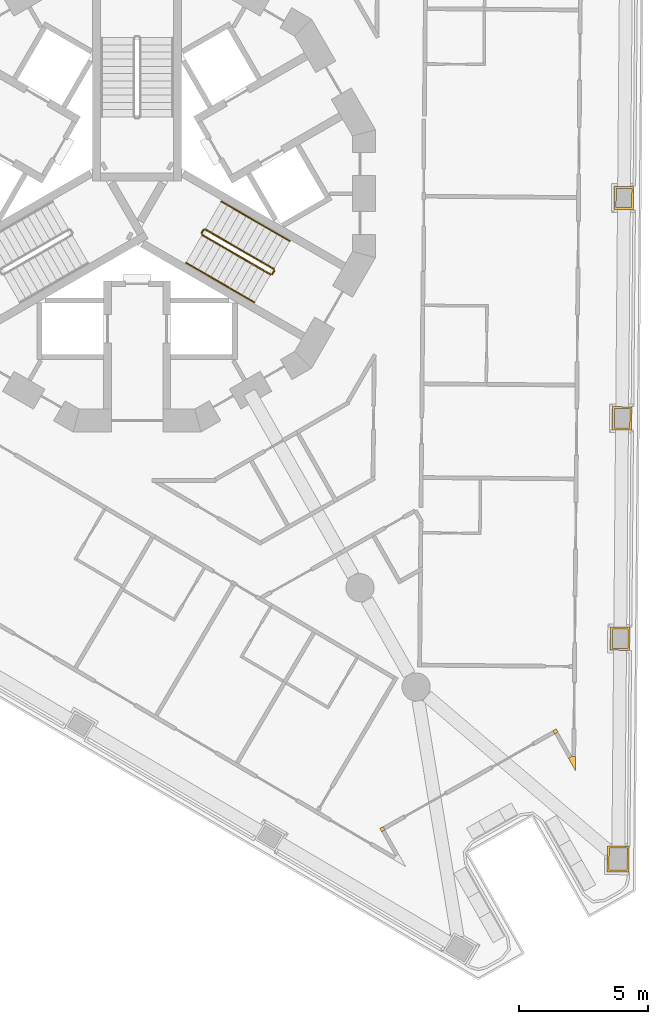
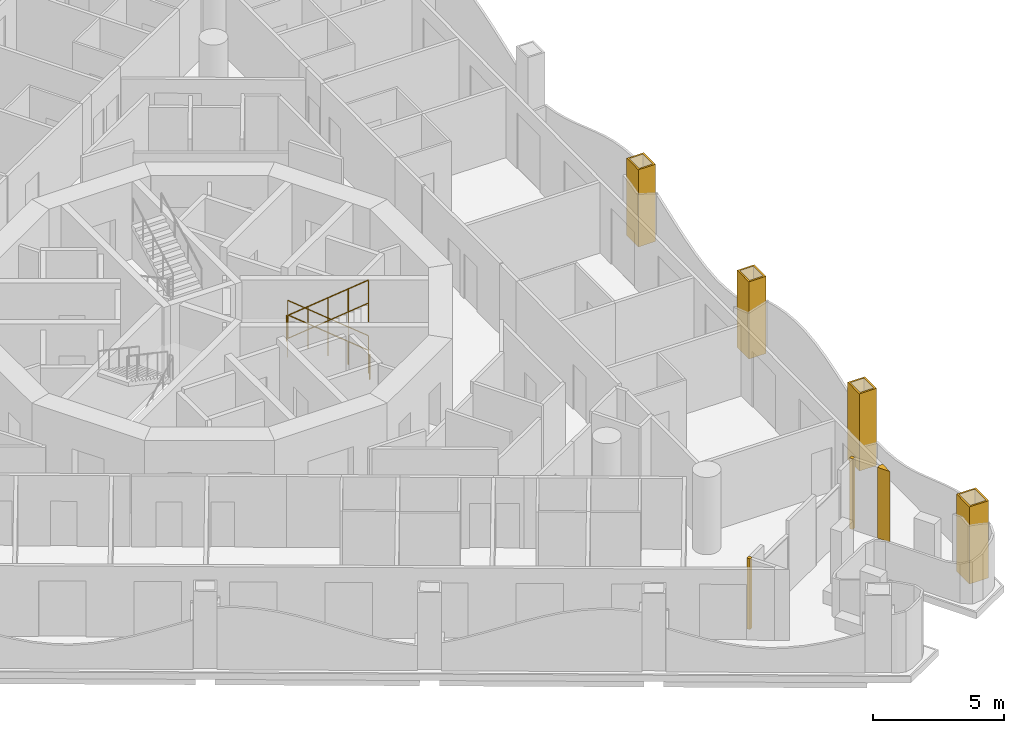
# One storey, part 15 of 18: 8 railings, 7 coverings.
"""IFC4 building model written with IfcOpenShell, lengths in metres."""

from ifc_helpers import new_model, si_unit, direction, frame, origin, origin_2d, place, context, subcontext, project, spatial, polyline, circle, outline, extrude, material, layer, layer_set, type_object, element, save


model = new_model("IFC4")

# Units and contexts
model_context = context("Model", 3, precision=1e-05, world=origin(), true_north=direction((0.0, 1.0)))
body_context = subcontext(model_context, "Body", "Model", "MODEL_VIEW")
ifc_project = project(units=[si_unit("LENGTHUNIT", "METRE"), si_unit("AREAUNIT", "SQUARE_METRE"), si_unit("VOLUMEUNIT", "CUBIC_METRE"), si_unit("PLANEANGLEUNIT", "RADIAN"), si_unit("MASSUNIT", "GRAM", prefix="KILO")], contexts=[model_context])

# Site, building, storey
site_placement = place(None, origin())
site = spatial("IfcSite", under=ifc_project, at=site_placement, CompositionType="ELEMENT")
building_placement = place(site_placement, origin())
building = spatial("IfcBuilding", under=site, at=building_placement, Name="Trine Commons Tower", CompositionType="ELEMENT")
storey_placement = place(building_placement, frame((0.0, 0.0, 175.5)))
storey = spatial("IfcBuildingStorey", under=building, at=storey_placement, Name="L45", CompositionType="ELEMENT", Elevation=175.5)

# Coverings
ifc_material_1 = material(Name="Aluminium-framed insulated wall panel", Category="aluminium")
ifc_layer_1 = layer(ifc_material_1, 0.14990234375)
ifc_layer_set_1 = layer_set([ifc_layer_1], Name="Aluminium-framed insulated wall panel")
covering_type_1 = type_object("IfcCoveringType", Name="Glazing corner post, aluminium", PredefinedType="CLADDING", material=ifc_layer_set_1)
covering_1_placement = place(storey_placement, origin())
element("IfcCovering", 1, at=covering_1_placement, inside=storey, type_object=covering_type_1, Name="Glazing corner post 5-09", PredefinedType="CLADDING", context=body_context, shape_type="SweptSolid", body=[
    extrude(outline(polyline([(96.776611328125, 40.5439453125), (97.05224609375, 40.056640625), (97.05712890625, 40.616455078125), (96.9072265625, 40.617919921875), (96.9072265625, 40.617919921875), (96.776611328125, 40.5439453125)])), origin(), (0.0, 0.0, 1.0), 3.300048828125),
])
covering_2_placement = place(storey_placement, origin())
element("IfcCovering", 2, at=covering_2_placement, inside=storey, type_object=covering_type_1, Name="Glazing corner post 5-10", PredefinedType="CLADDING", context=body_context, shape_type="SweptSolid", body=[
    extrude(outline(polyline([(96.168212890625, 41.619384765625), (96.241943359375, 41.489013671875), (96.37255859375, 41.562744140625), (96.298583984375, 41.693359375), (96.168212890625, 41.619384765625)])), origin(), (0.0, 0.0, 1.0), 3.300048828125),
])
covering_3_placement = place(storey_placement, origin())
element("IfcCovering", 3, at=covering_3_placement, inside=storey, type_object=covering_type_1, Name="Glazing corner post 5-11", PredefinedType="CLADDING", context=body_context, shape_type="SweptSolid", body=[
    extrude(outline(polyline([(89.51416015625, 37.6826171875), (89.644775390625, 37.75634765625), (89.57080078125, 37.886962890625), (89.440185546875, 37.81298828125), (89.51416015625, 37.6826171875)])), origin(), (0.0, 0.0, 1.0), 3.300048828125),
])
ifc_material_2 = material(Name="Limestone, honed", Category="masonry")
ifc_layer_2 = layer(ifc_material_2, 0.074951171875)
ifc_layer_set_2 = layer_set([ifc_layer_2], Name="Limestone, honed")
covering_type_2 = type_object("IfcCoveringType", Name="Limestone column cladding 75", PredefinedType="CLADDING", material=ifc_layer_set_2)
covering_4_placement = place(storey_placement, origin())
element("IfcCovering", 4, at=covering_4_placement, inside=storey, type_object=covering_type_2, Name="Limestone pier cladding 5-18", PredefinedType="CLADDING", context=body_context, shape_type="SweptSolid", body=[
    extrude(outline(polyline([(99.315673828125, 62.781494140625), (98.565673828125, 62.7880859375), (98.557861328125, 61.887939453125), (99.307861328125, 61.88134765625), (99.315673828125, 62.781494140625)]), holes=[polyline([(99.239990234375, 62.70703125), (98.64013671875, 62.71240234375), (98.633544921875, 61.96240234375), (99.2333984375, 61.95703125), (99.239990234375, 62.70703125)])]), origin(), (0.0, 0.0, 1.0), 3.60009765625),
])
covering_5_placement = place(storey_placement, origin())
element("IfcCovering", 5, at=covering_5_placement, inside=storey, type_object=covering_type_2, Name="Limestone pier cladding 5-19", PredefinedType="CLADDING", context=body_context, shape_type="SweptSolid", body=[
    extrude(outline(polyline([(99.240966796875, 54.211181640625), (98.490966796875, 54.2177734375), (98.483154296875, 53.31787109375), (99.233154296875, 53.311279296875), (99.240966796875, 54.211181640625)]), holes=[polyline([(99.165283203125, 54.136962890625), (98.565185546875, 54.14208984375), (98.55859375, 53.39208984375), (99.15869140625, 53.386962890625), (99.165283203125, 54.136962890625)])]), origin(), (0.0, 0.0, 1.0), 3.60009765625),
])
covering_6_placement = place(storey_placement, origin())
element("IfcCovering", 6, at=covering_6_placement, inside=storey, type_object=covering_type_2, Name="Limestone pier cladding 5-20", PredefinedType="CLADDING", context=body_context, shape_type="SweptSolid", body=[
    extrude(outline(polyline([(99.166015625, 45.640869140625), (98.416015625, 45.6474609375), (98.408203125, 44.74755859375), (99.158203125, 44.740966796875), (99.166015625, 45.640869140625)]), holes=[polyline([(99.090576171875, 45.566650390625), (98.490478515625, 45.57177734375), (98.48388671875, 44.82177734375), (99.083984375, 44.816650390625), (99.090576171875, 45.566650390625)])]), origin(), (0.0, 0.0, 1.0), 3.60009765625),
])
covering_7_placement = place(storey_placement, origin())
element("IfcCovering", 7, at=covering_7_placement, inside=storey, type_object=covering_type_2, Name="Limestone pier cladding 5-21", PredefinedType="CLADDING", context=body_context, shape_type="SweptSolid", body=[
    extrude(outline(polyline([(99.1416015625, 37.1201171875), (98.291748046875, 37.127685546875), (98.283203125, 36.127685546875), (99.133056640625, 36.1201171875), (99.1416015625, 37.1201171875)]), holes=[polyline([(99.066162109375, 37.0458984375), (98.3662109375, 37.052001953125), (98.358642578125, 36.201904296875), (99.05859375, 36.19580078125), (99.066162109375, 37.0458984375)])]), origin(), (0.0, 0.0, 1.0), 3.60009765625),
])

# Railings
ifc_material_3 = material(Name="Stainless steel balustrade", Category="steel")
railing_type_1 = type_object("IfcRailingType", Name="Stair guard, steel balustrade 1100", PredefinedType="GUARDRAIL", material=ifc_material_3)
railing_1_placement = place(storey_placement, frame((85.31982421875, 59.572998046875, 0.14990234375)))
element("IfcRailing", 8, at=railing_1_placement, inside=storey, type_object=railing_type_1, Name="L45 ST3B stair guard 1", PredefinedType="GUARDRAIL", context=body_context, shape_type="SweptSolid", body=[
    extrude(circle(Radius=0.02392578125, at=origin_2d()), frame((0.0, 0.0, 1.076171875), z_axis=(-0.763379768245, 0.440728498818, 0.472239049384), x_axis=(-0.499992328818, -0.866029832698, 0.0)), (0.0, 0.0, 1.0), 3.494384765625),
    extrude(circle(Radius=0.02099609375, at=origin_2d()), origin(), (0.0, 0.0, 1.0), 1.052001953125),
    extrude(circle(Radius=0.02099609375, at=origin_2d()), frame((-0.6669921875, 0.385009765625, 0.41259765625)), (0.0, 0.0, 1.0), 1.052001953125),
    extrude(circle(Radius=0.02099609375, at=origin_2d()), frame((-1.333740234375, 0.77001953125, 0.8251953125)), (0.0, 0.0, 1.0), 1.052001953125),
    extrude(circle(Radius=0.02099609375, at=origin_2d()), frame((-2.00048828125, 1.155029296875, 1.237548828125)), (0.0, 0.0, 1.0), 1.052001953125),
    extrude(circle(Radius=0.02099609375, at=origin_2d()), frame((-2.66748046875, 1.5400390625, 1.650146484375)), (0.0, 0.0, 1.0), 1.052001953125),
])
railing_2_placement = place(storey_placement, frame((82.584228515625, 61.0947265625, 1.800048828125)))
element("IfcRailing", 9, at=railing_2_placement, inside=storey, type_object=railing_type_1, Name="L45 ST3B stair guard 2", PredefinedType="GUARDRAIL", context=body_context, shape_type="SweptSolid", body=[
    extrude(circle(Radius=0.02392578125, at=origin_2d()), frame((0.0, 0.0, 1.076171875), z_axis=(-0.501036270542, -0.865426285481, 0.0), x_axis=(0.865426285481, -0.501036270542, 0.0)), (0.0, 0.0, 1.0), 0.150146484375),
    extrude(circle(Radius=0.02099609375, at=origin_2d()), origin(), (0.0, 0.0, 1.0), 1.052001953125),
    extrude(circle(Radius=0.02099609375, at=origin_2d()), frame((-0.0751953125, -0.1298828125, 0.0)), (0.0, 0.0, 1.0), 1.052001953125),
])
railing_3_placement = place(storey_placement, frame((82.52734375, 60.896484375, 1.949951171875)))
element("IfcRailing", 10, at=railing_3_placement, inside=storey, type_object=railing_type_1, Name="L45 ST3B stair guard 3", PredefinedType="GUARDRAIL", context=body_context, shape_type="SweptSolid", body=[
    extrude(circle(Radius=0.02392578125, at=origin_2d()), frame((0.0, 0.0, 1.076171875), z_axis=(0.763379768245, -0.440728498818, 0.472239049384), x_axis=(0.499992328818, 0.866029832698, 0.0)), (0.0, 0.0, 1.0), 3.494384765625),
    extrude(circle(Radius=0.02099609375, at=origin_2d()), origin(), (0.0, 0.0, 1.0), 1.052001953125),
    extrude(circle(Radius=0.02099609375, at=origin_2d()), frame((0.6669921875, -0.385009765625, 0.41259765625)), (0.0, 0.0, 1.0), 1.052001953125),
    extrude(circle(Radius=0.02099609375, at=origin_2d()), frame((1.333740234375, -0.77001953125, 0.8251953125)), (0.0, 0.0, 1.0), 1.052001953125),
    extrude(circle(Radius=0.02099609375, at=origin_2d()), frame((2.00048828125, -1.155029296875, 1.237548828125)), (0.0, 0.0, 1.0), 1.052001953125),
    extrude(circle(Radius=0.02099609375, at=origin_2d()), frame((2.66748046875, -1.5400390625, 1.650146484375)), (0.0, 0.0, 1.0), 1.052001953125),
])
railing_4_placement = place(storey_placement, frame((85.338134765625, 59.504638671875, 0.0)))
element("IfcRailing", 11, at=railing_4_placement, inside=storey, type_object=railing_type_1, Name="L45 ST3B stair guard 4", PredefinedType="GUARDRAIL", context=body_context, shape_type="SweptSolid", body=[
    extrude(circle(Radius=0.02392578125, at=origin_2d()), frame((0.0, 0.0, 1.076171875), z_axis=(-0.499816412211, -0.866131372301, 0.0), x_axis=(0.866131372301, -0.499816412211, 0.0)), (0.0, 0.0, 1.0), 0.14990234375),
    extrude(circle(Radius=0.02099609375, at=origin_2d()), origin(), (0.0, 0.0, 1.0), 1.052001953125),
    extrude(circle(Radius=0.02099609375, at=origin_2d()), frame((-0.074951171875, -0.1298828125, 0.0)), (0.0, 0.0, 1.0), 1.052001953125),
])
ifc_material_4 = material(Name="Stainless steel handrail", Category="steel")
railing_type_2 = type_object("IfcRailingType", Name="Stair handrail, steel 900", PredefinedType="HANDRAIL", material=ifc_material_4)
railing_5_placement = place(storey_placement, frame((85.94482421875, 60.655517578125, 0.14990234375)))
element("IfcRailing", 12, at=railing_5_placement, inside=storey, type_object=railing_type_2, Name="L45 ST3B stair handrail 1", PredefinedType="HANDRAIL", context=body_context, shape_type="SweptSolid", body=[
    extrude(circle(Radius=0.02099609375, at=origin_2d()), frame((0.0, 0.0, 0.87890625), z_axis=(-0.763354580307, 0.440713956853, 0.472293333596), x_axis=(-0.499992328818, -0.866029832698, 0.0)), (0.0, 0.0, 1.0), 1.747314453125),
    extrude(circle(Radius=0.01513671875, at=origin_2d()), origin(), (0.0, 0.0, 1.0), 0.85791015625),
    extrude(circle(Radius=0.01513671875, at=origin_2d()), frame((-0.6669921875, 0.385009765625, 0.41259765625)), (0.0, 0.0, 1.0), 0.85791015625),
    extrude(circle(Radius=0.01513671875, at=origin_2d()), frame((-1.333740234375, 0.77001953125, 0.8251953125)), (0.0, 0.0, 1.0), 0.85791015625),
])
railing_6_placement = place(storey_placement, frame((84.611083984375, 61.425537109375, 0.97509765625)))
element("IfcRailing", 13, at=railing_6_placement, inside=storey, type_object=railing_type_2, Name="L45 ST3B stair handrail 2", PredefinedType="HANDRAIL", context=body_context, shape_type="SweptSolid", body=[
    extrude(circle(Radius=0.02099609375, at=origin_2d()), frame((0.0, 0.0, 0.87890625), z_axis=(-0.76340495495, 0.440743040072, 0.472184759798), x_axis=(-0.499992328818, -0.866029832698, 0.0)), (0.0, 0.0, 1.0), 1.7470703125),
    extrude(circle(Radius=0.01513671875, at=origin_2d()), origin(), (0.0, 0.0, 1.0), 0.85791015625),
    extrude(circle(Radius=0.01513671875, at=origin_2d()), frame((-0.6669921875, 0.385009765625, 0.41259765625)), (0.0, 0.0, 1.0), 0.85791015625),
    extrude(circle(Radius=0.01513671875, at=origin_2d()), frame((-1.333740234375, 0.77001953125, 0.824951171875)), (0.0, 0.0, 1.0), 0.85791015625),
])
railing_7_placement = place(storey_placement, frame((81.90234375, 59.81396484375, 1.949951171875)))
element("IfcRailing", 14, at=railing_7_placement, inside=storey, type_object=railing_type_2, Name="L45 ST3B stair handrail 3", PredefinedType="HANDRAIL", context=body_context, shape_type="SweptSolid", body=[
    extrude(circle(Radius=0.02099609375, at=origin_2d()), frame((0.0, 0.0, 0.87890625), z_axis=(0.76340495495, -0.440743040072, 0.472184759798), x_axis=(0.499992328818, 0.866029832698, 0.0)), (0.0, 0.0, 1.0), 1.7470703125),
    extrude(circle(Radius=0.01513671875, at=origin_2d()), origin(), (0.0, 0.0, 1.0), 0.85791015625),
    extrude(circle(Radius=0.01513671875, at=origin_2d()), frame((0.6669921875, -0.385009765625, 0.41259765625)), (0.0, 0.0, 1.0), 0.85791015625),
    extrude(circle(Radius=0.01513671875, at=origin_2d()), frame((1.333740234375, -0.77001953125, 0.824951171875)), (0.0, 0.0, 1.0), 0.85791015625),
])
railing_8_placement = place(storey_placement, frame((83.236083984375, 59.0439453125, 2.77490234375)))
element("IfcRailing", 15, at=railing_8_placement, inside=storey, type_object=railing_type_2, Name="L45 ST3B stair handrail 4", PredefinedType="HANDRAIL", context=body_context, shape_type="SweptSolid", body=[
    extrude(circle(Radius=0.02099609375, at=origin_2d()), frame((0.0, 0.0, 0.87890625), z_axis=(0.763354580307, -0.440713956853, 0.472293333596), x_axis=(0.499992328818, 0.866029832698, 0.0)), (0.0, 0.0, 1.0), 1.747314453125),
    extrude(circle(Radius=0.01513671875, at=origin_2d()), origin(), (0.0, 0.0, 1.0), 0.85791015625),
    extrude(circle(Radius=0.01513671875, at=origin_2d()), frame((0.6669921875, -0.385009765625, 0.41259765625)), (0.0, 0.0, 1.0), 0.85791015625),
    extrude(circle(Radius=0.01513671875, at=origin_2d()), frame((1.333740234375, -0.77001953125, 0.8251953125)), (0.0, 0.0, 1.0), 0.85791015625),
])

save(model, "model.ifc")
